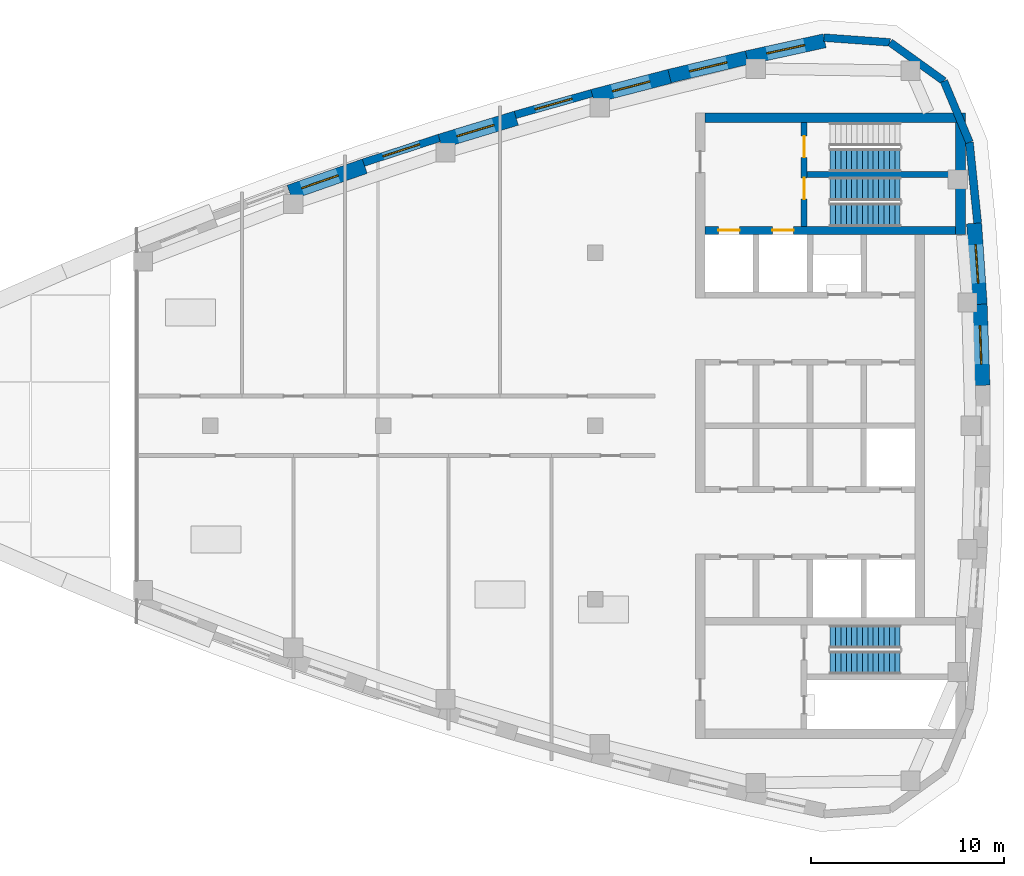
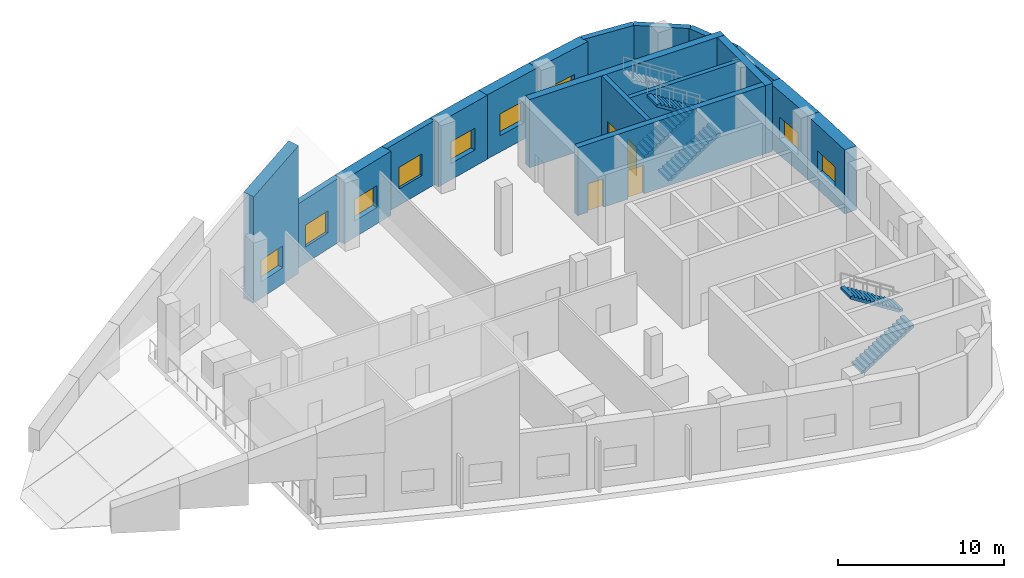
# One storey, part 4 of 8: 18 walls, 9 windows, 5 stair flights, 4 doors, 13 openings, 3 elements without a shape of their own.
"""IFC4 building model written with IfcOpenShell, lengths in metres."""

from ifc_helpers import new_model, si_unit, direction, frame, frame_2d, origin, place, context, subcontext, project, spatial, polyline, rectangle, outline, extrude, material, layer, layer_set, type_object, element, fill, aggregate, save


model = new_model("IFC4")

# Units and contexts
model_context = context("Model", 3, precision=1e-05, world=origin(), true_north=direction((0.0, 1.0)))
body_context = subcontext(model_context, "Body", "Model", "MODEL_VIEW")
ifc_project = project(units=[si_unit("LENGTHUNIT", "METRE"), si_unit("AREAUNIT", "SQUARE_METRE"), si_unit("VOLUMEUNIT", "CUBIC_METRE"), si_unit("PLANEANGLEUNIT", "RADIAN"), si_unit("MASSUNIT", "GRAM", prefix="KILO")], contexts=[model_context])

# Site, building, storey
site_placement = place(None, origin())
site = spatial("IfcSite", under=ifc_project, at=site_placement, CompositionType="ELEMENT")
building_placement = place(site_placement, origin())
building = spatial("IfcBuilding", under=site, at=building_placement, Name="Ostrand Prow Hotel Tower", CompositionType="ELEMENT")
storey_placement = place(building_placement, frame((0.0, 0.0, 327.39990234375)))
storey = spatial("IfcBuildingStorey", under=building, at=storey_placement, Name="C5", CompositionType="ELEMENT", Elevation=327.39990234375)

# Wall, openings, doors
ifc_material_1 = material(Name="Concrete C40/50", Category="concrete")
ifc_layer_1 = layer(ifc_material_1, 0.300048828125)
ifc_layer_set_1 = layer_set([ifc_layer_1], Name="Concrete C40/50")
wall_type_1 = type_object("IfcWallType", Name="Core wall 300 C40/50", PredefinedType="SHEAR", material=ifc_layer_set_1)
wall_1_placement = place(storey_placement, frame((55.85009765625, 10.35009765625, 0.0), z_axis=(0.0, 0.0, 1.0), x_axis=(0.0, 1.0, 0.0)))
wall_1 = element("IfcWall", 1, at=wall_1_placement, inside=storey, type_object=wall_type_1, Name="Core wall PW-VN", PredefinedType="SHEAR", context=body_context, shape_type="SweptSolid", body=[
    extrude(rectangle(XDim=5.39990234375, YDim=0.300048828125, at=frame_2d((2.699951171875, 0.0))), origin(), (0.0, 0.0, 1.0), 5.0),
])
opening_1_placement = place(wall_1_placement, frame((1.429931640625, 0.0, 0.0)))
opening_1 = element("IfcOpeningElement", 2, at=opening_1_placement, cuts=wall_1, Name="Opening FD1", PredefinedType="OPENING", context=body_context, shape_type="SweptSolid", body=[
    extrude(rectangle(XDim=1.10009765625, YDim=2.10009765625, at=frame_2d((0.550048828125, 1.050048828125))), frame((0.0, 0.159912109375, 0.0), z_axis=(0.0, -1.0, 0.0), x_axis=(1.0, 0.0, 0.0)), (0.0, 0.0, 1.0), 0.320068359375),
])
opening_2_placement = place(wall_1_placement, frame((3.60009765625, 0.0, 0.0)))
opening_2 = element("IfcOpeningElement", 3, at=opening_2_placement, cuts=wall_1, Name="Opening FD1", PredefinedType="OPENING", context=body_context, shape_type="SweptSolid", body=[
    extrude(rectangle(XDim=1.10009765625, YDim=2.10009765625, at=frame_2d((0.550048828125, 1.050048828125))), frame((0.0, 0.159912109375, 0.0), z_axis=(0.0, -1.0, 0.0), x_axis=(1.0, 0.0, 0.0)), (0.0, 0.0, 1.0), 0.320068359375),
])
ifc_material_2 = material(Name="Steel fire door", Category="steel")
door_type_1 = type_object("IfcDoorType", Name="Fire door 1100 EI120", OperationType="SINGLE_SWING_RIGHT", PredefinedType="DOOR", material=ifc_material_2)
door_1_placement = place(opening_1_placement, origin())
door_1 = element("IfcDoor", 4, at=door_1_placement, inside=storey, type_object=door_type_1, Name="FIRE DOOR", OperationType="SINGLE_SWING_RIGHT", OverallHeight=2.10009765625, OverallWidth=1.10009765625, PredefinedType="DOOR", context=body_context, shape_type="SweptSolid", body=[
    extrude(rectangle(XDim=1.10009765625, YDim=2.10009765625, at=frame_2d((0.550048828125, 1.050048828125))), frame((0.0, 0.02490234375, 0.0), z_axis=(0.0, -1.0, 0.0), x_axis=(1.0, 0.0, 0.0)), (0.0, 0.0, 1.0), 0.050048828125),
])
fill(opening_1, door_1)
door_2_placement = place(opening_2_placement, origin())
door_2 = element("IfcDoor", 5, at=door_2_placement, inside=storey, type_object=door_type_1, Name="FIRE DOOR", OperationType="SINGLE_SWING_RIGHT", OverallHeight=2.10009765625, OverallWidth=1.10009765625, PredefinedType="DOOR", context=body_context, shape_type="SweptSolid", body=[
    extrude(rectangle(XDim=1.10009765625, YDim=2.10009765625, at=frame_2d((0.550048828125, 1.050048828125))), frame((0.0, 0.02490234375, 0.0), z_axis=(0.0, -1.0, 0.0), x_axis=(1.0, 0.0, 0.0)), (0.0, 0.0, 1.0), 0.050048828125),
])
fill(opening_2, door_2)

# Wall
wall_2_placement = place(storey_placement, frame((56.0, 13.050048828125, 0.0), z_axis=(0.0, 0.0, 1.0), x_axis=(1.0, 0.0, 0.0)))
element("IfcWall", 6, at=wall_2_placement, inside=storey, type_object=wall_type_1, Name="Core wall PW-ST13", PredefinedType="SHEAR", context=body_context, shape_type="SweptSolid", body=[
    extrude(rectangle(XDim=7.719970703125, YDim=0.300048828125, at=frame_2d((3.85986328125, 0.0))), origin(), (0.0, 0.0, 1.0), 5.0),
])

# Wall, openings, doors
ifc_material_3 = material(Name="Concrete C40/50", Category="concrete")
ifc_layer_2 = layer(ifc_material_3, 0.39990234375)
ifc_layer_set_2 = layer_set([ifc_layer_2], Name="Concrete C40/50")
wall_type_2 = type_object("IfcWallType", Name="Core wall 400 C40/50", PredefinedType="SHEAR", material=ifc_layer_set_2)
wall_3_placement = place(storey_placement, frame((50.699951171875, 10.14990234375, 0.0), z_axis=(0.0, 0.0, 1.0), x_axis=(1.0, 0.0, 0.0)))
wall_3 = element("IfcWall", 7, at=wall_3_placement, inside=storey, type_object=wall_type_2, Name="Core wall PW-BN", PredefinedType="SHEAR", context=body_context, shape_type="SweptSolid", body=[
    extrude(rectangle(XDim=13.02001953125, YDim=0.39990234375, at=frame_2d((6.510009765625, 0.0))), origin(), (0.0, 0.0, 1.0), 5.0),
])
opening_3_placement = place(wall_3_placement, frame((0.699951171875, 0.0, 0.0)))
opening_3 = element("IfcOpeningElement", 8, at=opening_3_placement, cuts=wall_3, Name="Opening LD", PredefinedType="OPENING", context=body_context, shape_type="SweptSolid", body=[
    extrude(rectangle(XDim=1.10009765625, YDim=2.10009765625, at=frame_2d((0.550048828125, 1.050048828125))), frame((0.0, 0.2099609375, 0.0), z_axis=(0.0, -1.0, 0.0), x_axis=(1.0, 0.0, 0.0)), (0.0, 0.0, 1.0), 0.419921875),
])
opening_4_placement = place(wall_3_placement, frame((3.5, 0.0, 0.0)))
opening_4 = element("IfcOpeningElement", 9, at=opening_4_placement, cuts=wall_3, Name="Opening LD", PredefinedType="OPENING", context=body_context, shape_type="SweptSolid", body=[
    extrude(rectangle(XDim=1.10009765625, YDim=2.10009765625, at=frame_2d((0.550048828125, 1.050048828125))), frame((0.0, 0.2099609375, 0.0), z_axis=(0.0, -1.0, 0.0), x_axis=(1.0, 0.0, 0.0)), (0.0, 0.0, 1.0), 0.419921875),
])
ifc_material_4 = material(Name="Stainless steel door", Category="steel")
door_type_2 = type_object("IfcDoorType", Name="Lift landing door 1100", OperationType="DOUBLE_DOOR_SLIDING", PredefinedType="DOOR", material=ifc_material_4)
door_3_placement = place(opening_3_placement, origin())
door_3 = element("IfcDoor", 10, at=door_3_placement, inside=storey, type_object=door_type_2, Name="LIFT LANDING DOOR", OperationType="DOUBLE_DOOR_SLIDING", OverallHeight=2.10009765625, OverallWidth=1.10009765625, PredefinedType="DOOR", context=body_context, shape_type="SweptSolid", body=[
    extrude(rectangle(XDim=1.10009765625, YDim=2.10009765625, at=frame_2d((0.550048828125, 1.050048828125))), frame((0.0, 0.02490234375, 0.0), z_axis=(0.0, -1.0, 0.0), x_axis=(1.0, 0.0, 0.0)), (0.0, 0.0, 1.0), 0.050048828125),
])
fill(opening_3, door_3)
door_4_placement = place(opening_4_placement, origin())
door_4 = element("IfcDoor", 11, at=door_4_placement, inside=storey, type_object=door_type_2, Name="LIFT LANDING DOOR", OperationType="DOUBLE_DOOR_SLIDING", OverallHeight=2.10009765625, OverallWidth=1.10009765625, PredefinedType="DOOR", context=body_context, shape_type="SweptSolid", body=[
    extrude(rectangle(XDim=1.10009765625, YDim=2.10009765625, at=frame_2d((0.550048828125, 1.050048828125))), frame((0.0, 0.02490234375, 0.0), z_axis=(0.0, -1.0, 0.0), x_axis=(1.0, 0.0, 0.0)), (0.0, 0.0, 1.0), 0.050048828125),
])
fill(opening_4, door_4)

# Walls
ifc_material_5 = material(Name="Concrete C40/50", Category="concrete")
ifc_layer_3 = layer(ifc_material_5, 0.5)
ifc_layer_set_3 = layer_set([ifc_layer_3], Name="Concrete C40/50")
wall_type_3 = type_object("IfcWallType", Name="Core wall 500 C40/50", PredefinedType="SHEAR", material=ifc_layer_set_3)
wall_4_placement = place(storey_placement, frame((50.699951171875, 16.0, 0.0), z_axis=(0.0, 0.0, 1.0), x_axis=(1.0, 0.0, 0.0)))
element("IfcWall", 12, at=wall_4_placement, inside=storey, type_object=wall_type_3, Name="Core wall CW-N", PredefinedType="SHEAR", context=body_context, shape_type="SweptSolid", body=[
    extrude(rectangle(XDim=13.52001953125, YDim=0.5, at=frame_2d((6.760009765625, 0.0))), origin(), (0.0, 0.0, 1.0), 5.0),
])
wall_5_placement = place(storey_placement, frame((63.969970703125, 9.949951171875, 0.0), z_axis=(0.0, 0.0, 1.0), x_axis=(0.0, 1.0, 0.0)))
element("IfcWall", 13, at=wall_5_placement, inside=storey, type_object=wall_type_3, Name="Core wall CW-E-N", PredefinedType="SHEAR", context=body_context, shape_type="SweptSolid", body=[
    extrude(rectangle(XDim=5.800048828125, YDim=0.5, at=frame_2d((2.89990234375, 0.0))), origin(), (0.0, 0.0, 1.0), 5.0),
])

# Wall, opening, window
ifc_material_6 = material(Name="Precast concrete C40/50", Category="concrete")
ifc_layer_4 = layer(ifc_material_6, 0.39990234375)
ifc_layer_set_4 = layer_set([ifc_layer_4], Name="Precast concrete C40/50")
wall_type_4 = type_object("IfcWallType", Name="Stone-faced precast wall 400 mm", PredefinedType="NOTDEFINED", material=ifc_layer_set_4)
wall_6_placement = place(storey_placement, frame((65.089599609375, 2.1015625, 0.0), z_axis=(0.0, 0.0, 1.0), x_axis=(-0.034151270612, 0.999416675224, 0.0)))
wall_6 = element("IfcWall", 14, at=wall_6_placement, inside=storey, type_object=wall_type_4, Name="Crown side wall C5 23", PredefinedType="NOTDEFINED", context=body_context, shape_type="SweptSolid", body=[
    extrude(rectangle(XDim=4.2177734375, YDim=0.825439453125, at=frame_2d((2.10888671875, 0.0))), origin(), (0.0, 0.0, 1.0), 4.7001953125),
])
opening_5_placement = place(wall_6_placement, frame((1.10888671875, 0.0, 1.199951171875)))
opening_5 = element("IfcOpeningElement", 15, at=opening_5_placement, cuts=wall_6, Name="Opening WV1", PredefinedType="OPENING", context=body_context, shape_type="SweptSolid", body=[
    extrude(rectangle(XDim=2.0, YDim=1.60009765625, at=frame_2d((1.0, 0.800048828125))), frame((0.0, 0.422607421875, 0.0), z_axis=(0.0, -1.0, 0.0), x_axis=(1.0, 0.0, 0.0)), (0.0, 0.0, 1.0), 0.845458984375),
])
ifc_material_7 = material(Name="Bronze anodised aluminium louvre", Category="aluminium")
window_type = type_object("IfcWindowType", Name="Louvre vent 2000x1600", PartitioningType="SINGLE_PANEL", PredefinedType="WINDOW", material=ifc_material_7)
window_1_placement = place(opening_5_placement, origin())
window_1 = element("IfcWindow", 16, at=window_1_placement, inside=storey, type_object=window_type, Name="Louvre vent 23.1", OverallHeight=1.60009765625, OverallWidth=2.0, PartitioningType="SINGLE_PANEL", PredefinedType="WINDOW", context=body_context, shape_type="SweptSolid", body=[
    extrude(rectangle(XDim=2.0, YDim=1.60009765625, at=frame_2d((1.0, 0.800048828125))), frame((0.0, 0.030029296875, 0.0), z_axis=(0.0, -1.0, 0.0), x_axis=(1.0, 0.0, 0.0)), (0.0, 0.0, 1.0), 0.06005859375),
])
fill(opening_5, window_1)

wall_7_placement = place(storey_placement, frame((64.966064453125, 6.310791015625, 0.0), z_axis=(0.0, 0.0, 1.0), x_axis=(-0.068243871044, 0.997668669481, 0.0)))
wall_7 = element("IfcWall", 17, at=wall_7_placement, inside=storey, type_object=wall_type_4, Name="Crown side wall C5 24", PredefinedType="NOTDEFINED", context=body_context, shape_type="SweptSolid", body=[
    extrude(rectangle(XDim=4.2177734375, YDim=0.784912109375, at=frame_2d((2.10888671875, 0.0))), origin(), (0.0, 0.0, 1.0), 4.7001953125),
])
opening_6_placement = place(wall_7_placement, frame((1.10888671875, 0.0, 1.199951171875)))
opening_6 = element("IfcOpeningElement", 18, at=opening_6_placement, cuts=wall_7, Name="Opening WV1", PredefinedType="OPENING", context=body_context, shape_type="SweptSolid", body=[
    extrude(rectangle(XDim=2.0, YDim=1.60009765625, at=frame_2d((1.0, 0.800048828125))), frame((0.0, 0.40234375, 0.0), z_axis=(0.0, -1.0, 0.0), x_axis=(1.0, 0.0, 0.0)), (0.0, 0.0, 1.0), 0.804931640625),
])
window_2_placement = place(opening_6_placement, origin())
window_2 = element("IfcWindow", 19, at=window_2_placement, inside=storey, type_object=window_type, Name="Louvre vent 24.1", OverallHeight=1.60009765625, OverallWidth=2.0, PartitioningType="SINGLE_PANEL", PredefinedType="WINDOW", context=body_context, shape_type="SweptSolid", body=[
    extrude(rectangle(XDim=2.0, YDim=1.60009765625, at=frame_2d((1.0, 0.800048828125))), frame((0.0, 0.030029296875, 0.0), z_axis=(0.0, -1.0, 0.0), x_axis=(1.0, 0.0, 0.0)), (0.0, 0.0, 1.0), 0.06005859375),
])
fill(opening_6, window_2)

# Walls
wall_8_placement = place(storey_placement, frame((64.86328125, 10.531005859375, 0.0), z_axis=(0.0, 0.0, 1.0), x_axis=(-0.102219795478, 0.994761837533, 0.0)))
element("IfcWall", 20, at=wall_8_placement, inside=storey, type_object=wall_type_4, Name="Crown side wall C5 25", PredefinedType="NOTDEFINED", context=body_context, shape_type="SweptSolid", body=[
    extrude(rectangle(XDim=4.2177734375, YDim=0.413818359375, at=frame_2d((2.10888671875, 0.0))), origin(), (0.0, 0.0, 1.0), 4.7001953125),
])
for number, where, z_axis, x_axis, name in (
    (21, (64.43896484375, 14.727294921875, 0.0), (0.0, 0.0, 1.0), (-0.385279586197, 0.922799891884, 0.0), "Crown side wall C5 26"),
    (22, (63.11181640625, 17.906005859375, 0.0), (0.0, 0.0, 1.0), (-0.811948187253, 0.583729510319, 0.0), "Crown side wall C5 27"),
):
    element("IfcWall", number, at=place(storey_placement, frame(where, z_axis=z_axis, x_axis=x_axis)), inside=storey, type_object=wall_type_4, Name=name, PredefinedType="NOTDEFINED", context=body_context, shape_type="SweptSolid", body=[
        extrude(rectangle(XDim=3.444580078125, YDim=0.39990234375, at=frame_2d((1.72216796875, 0.0))), origin(), (0.0, 0.0, 1.0), 4.7001953125),
    ])
wall_9_placement = place(storey_placement, frame((60.31494140625, 19.916748046875, 0.0), z_axis=(0.0, 0.0, 1.0), x_axis=(-0.997465171407, 0.071156389945, 0.0)))
element("IfcWall", 23, at=wall_9_placement, inside=storey, type_object=wall_type_4, Name="Crown side wall C5 28", PredefinedType="NOTDEFINED", context=body_context, shape_type="SweptSolid", body=[
    extrude(rectangle(XDim=3.44482421875, YDim=0.39990234375, at=frame_2d((1.722412109375, 0.0))), origin(), (0.0, 0.0, 1.0), 4.7001953125),
])

# Wall, opening, window
wall_10_placement = place(storey_placement, frame((56.91455078125, 19.99951171875, 0.0), z_axis=(0.0, 0.0, 1.0), x_axis=(-0.977019340581, -0.213150670022, 0.0)))
wall_10 = element("IfcWall", 24, at=wall_10_placement, inside=storey, type_object=wall_type_4, Name="Crown side wall C5 29", PredefinedType="NOTDEFINED", context=body_context, shape_type="SweptSolid", body=[
    extrude(rectangle(XDim=4.132568359375, YDim=0.732666015625, at=frame_2d((2.06640625, 0.0))), origin(), (0.0, 0.0, 1.0), 4.7001953125),
])
opening_7_placement = place(wall_10_placement, frame((1.06640625, 0.0, 1.199951171875)))
opening_7 = element("IfcOpeningElement", 25, at=opening_7_placement, cuts=wall_10, Name="Opening WV1", PredefinedType="OPENING", context=body_context, shape_type="SweptSolid", body=[
    extrude(rectangle(XDim=2.0, YDim=1.60009765625, at=frame_2d((1.0, 0.800048828125))), frame((0.0, 0.376220703125, 0.0), z_axis=(0.0, -1.0, 0.0), x_axis=(1.0, 0.0, 0.0)), (0.0, 0.0, 1.0), 0.752685546875),
])
window_3_placement = place(opening_7_placement, origin())
window_3 = element("IfcWindow", 26, at=window_3_placement, inside=storey, type_object=window_type, Name="Louvre vent 29.1", OverallHeight=1.60009765625, OverallWidth=2.0, PartitioningType="SINGLE_PANEL", PredefinedType="WINDOW", context=body_context, shape_type="SweptSolid", body=[
    extrude(rectangle(XDim=2.0, YDim=1.60009765625, at=frame_2d((1.0, 0.800048828125))), frame((0.0, 0.030029296875, 0.0), z_axis=(0.0, -1.0, 0.0), x_axis=(1.0, 0.0, 0.0)), (0.0, 0.0, 1.0), 0.06005859375),
])
fill(opening_7, window_3)

wall_11_placement = place(storey_placement, frame((52.87890625, 19.125, 0.0), z_axis=(0.0, 0.0, 1.0), x_axis=(-0.972546345517, -0.232709273174, 0.0)))
wall_11 = element("IfcWall", 27, at=wall_11_placement, inside=storey, type_object=wall_type_4, Name="Crown side wall C5 30", PredefinedType="NOTDEFINED", context=body_context, shape_type="SweptSolid", body=[
    extrude(rectangle(XDim=4.132568359375, YDim=0.720703125, at=frame_2d((2.06640625, 0.0))), origin(), (0.0, 0.0, 1.0), 4.7001953125),
])
opening_8_placement = place(wall_11_placement, frame((1.06640625, 0.0, 1.199951171875)))
opening_8 = element("IfcOpeningElement", 28, at=opening_8_placement, cuts=wall_11, Name="Opening WV1", PredefinedType="OPENING", context=body_context, shape_type="SweptSolid", body=[
    extrude(rectangle(XDim=2.0, YDim=1.60009765625, at=frame_2d((1.0, 0.800048828125))), frame((0.0, 0.370361328125, 0.0), z_axis=(0.0, -1.0, 0.0), x_axis=(1.0, 0.0, 0.0)), (0.0, 0.0, 1.0), 0.74072265625),
])
window_4_placement = place(opening_8_placement, origin())
window_4 = element("IfcWindow", 29, at=window_4_placement, inside=storey, type_object=window_type, Name="Louvre vent 30.1", OverallHeight=1.60009765625, OverallWidth=2.0, PartitioningType="SINGLE_PANEL", PredefinedType="WINDOW", context=body_context, shape_type="SweptSolid", body=[
    extrude(rectangle(XDim=2.0, YDim=1.60009765625, at=frame_2d((1.0, 0.800048828125))), frame((0.0, 0.030029296875, 0.0), z_axis=(0.0, -1.0, 0.0), x_axis=(1.0, 0.0, 0.0)), (0.0, 0.0, 1.0), 0.06005859375),
])
fill(opening_8, window_4)

wall_12_placement = place(storey_placement, frame((48.865966796875, 18.152587890625, 0.0), z_axis=(0.0, 0.0, 1.0), x_axis=(-0.967657413064, -0.252267974466, 0.0)))
wall_12 = element("IfcWall", 30, at=wall_12_placement, inside=storey, type_object=wall_type_4, Name="Crown side wall C5 31", PredefinedType="NOTDEFINED", context=body_context, shape_type="SweptSolid", body=[
    extrude(rectangle(XDim=4.13232421875, YDim=0.74462890625, at=frame_2d((2.066162109375, 0.0))), origin(), (0.0, 0.0, 1.0), 4.7001953125),
])
opening_9_placement = place(wall_12_placement, frame((1.06640625, 0.0, 1.199951171875)))
opening_9 = element("IfcOpeningElement", 31, at=opening_9_placement, cuts=wall_12, Name="Opening WV1", PredefinedType="OPENING", context=body_context, shape_type="SweptSolid", body=[
    extrude(rectangle(XDim=2.0, YDim=1.60009765625, at=frame_2d((1.0, 0.800048828125))), frame((0.0, 0.38232421875, 0.0), z_axis=(0.0, -1.0, 0.0), x_axis=(1.0, 0.0, 0.0)), (0.0, 0.0, 1.0), 0.7646484375),
])
window_5_placement = place(opening_9_placement, origin())
window_5 = element("IfcWindow", 32, at=window_5_placement, inside=storey, type_object=window_type, Name="Louvre vent 31.1", OverallHeight=1.60009765625, OverallWidth=2.0, PartitioningType="SINGLE_PANEL", PredefinedType="WINDOW", context=body_context, shape_type="SweptSolid", body=[
    extrude(rectangle(XDim=2.0, YDim=1.60009765625, at=frame_2d((1.0, 0.800048828125))), frame((0.0, 0.030029296875, 0.0), z_axis=(0.0, -1.0, 0.0), x_axis=(1.0, 0.0, 0.0)), (0.0, 0.0, 1.0), 0.06005859375),
])
fill(opening_9, window_5)

wall_13_placement = place(storey_placement, frame((44.823486328125, 17.27685546875, 0.0), z_axis=(0.0, 0.0, 1.0), x_axis=(-0.962397415317, -0.27164538463, 0.0)))
wall_13 = element("IfcWall", 33, at=wall_13_placement, inside=storey, type_object=wall_type_4, Name="Crown side wall C5 32", PredefinedType="NOTDEFINED", context=body_context, shape_type="SweptSolid", body=[
    extrude(rectangle(XDim=4.13232421875, YDim=0.39990234375, at=frame_2d((2.066162109375, 0.0))), origin(), (0.0, 0.0, 1.0), 4.7001953125),
])
opening_10_placement = place(wall_13_placement, frame((1.06640625, 0.0, 1.199951171875)))
opening_10 = element("IfcOpeningElement", 34, at=opening_10_placement, cuts=wall_13, Name="Opening WV1", PredefinedType="OPENING", context=body_context, shape_type="SweptSolid", body=[
    extrude(rectangle(XDim=2.0, YDim=1.60009765625, at=frame_2d((1.0, 0.800048828125))), frame((0.0, 0.2099609375, 0.0), z_axis=(0.0, -1.0, 0.0), x_axis=(1.0, 0.0, 0.0)), (0.0, 0.0, 1.0), 0.419921875),
])
window_6_placement = place(opening_10_placement, origin())
window_6 = element("IfcWindow", 35, at=window_6_placement, inside=storey, type_object=window_type, Name="Louvre vent 32.1", OverallHeight=1.60009765625, OverallWidth=2.0, PartitioningType="SINGLE_PANEL", PredefinedType="WINDOW", context=body_context, shape_type="SweptSolid", body=[
    extrude(rectangle(XDim=2.0, YDim=1.60009765625, at=frame_2d((1.0, 0.800048828125))), frame((0.0, 0.030029296875, 0.0), z_axis=(0.0, -1.0, 0.0), x_axis=(1.0, 0.0, 0.0)), (0.0, 0.0, 1.0), 0.06005859375),
])
fill(opening_10, window_6)

wall_14_placement = place(storey_placement, frame((40.899658203125, 15.979736328125, 0.0), z_axis=(0.0, 0.0, 1.0), x_axis=(-0.956738247994, -0.290950038368, 0.0)))
wall_14 = element("IfcWall", 36, at=wall_14_placement, inside=storey, type_object=wall_type_4, Name="Crown side wall C5 33", PredefinedType="NOTDEFINED", context=body_context, shape_type="SweptSolid", body=[
    extrude(rectangle(XDim=4.132568359375, YDim=0.764892578125, at=frame_2d((2.06640625, 0.0))), origin(), (0.0, 0.0, 1.0), 4.7001953125),
])
opening_11_placement = place(wall_14_placement, frame((1.21630859375, 0.0, 1.199951171875)))
opening_11 = element("IfcOpeningElement", 37, at=opening_11_placement, cuts=wall_14, Name="Opening WV1", PredefinedType="OPENING", context=body_context, shape_type="SweptSolid", body=[
    extrude(rectangle(XDim=2.0, YDim=1.60009765625, at=frame_2d((1.0, 0.800048828125))), frame((0.0, 0.392333984375, 0.0), z_axis=(0.0, -1.0, 0.0), x_axis=(1.0, 0.0, 0.0)), (0.0, 0.0, 1.0), 0.784912109375),
])
window_7_placement = place(opening_11_placement, origin())
window_7 = element("IfcWindow", 38, at=window_7_placement, inside=storey, type_object=window_type, Name="Louvre vent 33.1", OverallHeight=1.60009765625, OverallWidth=2.0, PartitioningType="SINGLE_PANEL", PredefinedType="WINDOW", context=body_context, shape_type="SweptSolid", body=[
    extrude(rectangle(XDim=2.0, YDim=1.60009765625, at=frame_2d((1.0, 0.800048828125))), frame((0.0, 0.030029296875, 0.0), z_axis=(0.0, -1.0, 0.0), x_axis=(1.0, 0.0, 0.0)), (0.0, 0.0, 1.0), 0.06005859375),
])
fill(opening_11, window_7)

wall_15_placement = place(storey_placement, frame((36.892822265625, 14.951904296875, 0.0), z_axis=(0.0, 0.0, 1.0), x_axis=(-0.950701822842, -0.310106504356, 0.0)))
wall_15 = element("IfcWall", 39, at=wall_15_placement, inside=storey, type_object=wall_type_4, Name="Crown side wall C5 34", PredefinedType="NOTDEFINED", context=body_context, shape_type="SweptSolid", body=[
    extrude(rectangle(XDim=4.13232421875, YDim=0.39990234375, at=frame_2d((2.066162109375, 0.0))), origin(), (0.0, 0.0, 1.0), 4.7001953125),
])
opening_12_placement = place(wall_15_placement, frame((1.06640625, 0.0, 1.199951171875)))
opening_12 = element("IfcOpeningElement", 40, at=opening_12_placement, cuts=wall_15, Name="Opening WV1", PredefinedType="OPENING", context=body_context, shape_type="SweptSolid", body=[
    extrude(rectangle(XDim=2.0, YDim=1.60009765625, at=frame_2d((1.0, 0.800048828125))), frame((0.0, 0.2099609375, 0.0), z_axis=(0.0, -1.0, 0.0), x_axis=(1.0, 0.0, 0.0)), (0.0, 0.0, 1.0), 0.419921875),
])
window_8_placement = place(opening_12_placement, origin())
window_8 = element("IfcWindow", 41, at=window_8_placement, inside=storey, type_object=window_type, Name="Louvre vent 34.1", OverallHeight=1.60009765625, OverallWidth=2.0, PartitioningType="SINGLE_PANEL", PredefinedType="WINDOW", context=body_context, shape_type="SweptSolid", body=[
    extrude(rectangle(XDim=2.0, YDim=1.60009765625, at=frame_2d((1.0, 0.800048828125))), frame((0.0, 0.030029296875, 0.0), z_axis=(0.0, -1.0, 0.0), x_axis=(1.0, 0.0, 0.0)), (0.0, 0.0, 1.0), 0.06005859375),
])
fill(opening_12, window_8)

wall_16_placement = place(storey_placement, frame((33.02880859375, 13.484619140625, 0.0), z_axis=(0.0, 0.0, 1.0), x_axis=(-0.944288592168, -0.329118602788, 0.0)))
wall_16 = element("IfcWall", 42, at=wall_16_placement, inside=storey, type_object=wall_type_4, Name="Crown side wall C5 35", PredefinedType="NOTDEFINED", context=body_context, shape_type="SweptSolid", body=[
    extrude(outline(polyline([(0.0, 0.0), (4.132568359375, 0.0), (4.132568359375, 7.801025390625), (0.0, 9.377685546875), (0.0, 0.0)])), frame((0.0, 0.396484375, 0.0), z_axis=(0.0, -1.0, 0.0), x_axis=(1.0, 0.0, 0.0)), (0.0, 0.0, 1.0), 0.793212890625),
])
opening_13_placement = place(wall_16_placement, frame((1.46630859375, 0.0, 1.199951171875)))
opening_13 = element("IfcOpeningElement", 43, at=opening_13_placement, cuts=wall_16, Name="Opening WV1", PredefinedType="OPENING", context=body_context, shape_type="SweptSolid", body=[
    extrude(rectangle(XDim=2.0, YDim=1.60009765625, at=frame_2d((1.0, 0.800048828125))), frame((0.0, 0.406494140625, 0.0), z_axis=(0.0, -1.0, 0.0), x_axis=(1.0, 0.0, 0.0)), (0.0, 0.0, 1.0), 0.813232421875),
])
window_9_placement = place(opening_13_placement, origin())
window_9 = element("IfcWindow", 44, at=window_9_placement, inside=storey, type_object=window_type, Name="Louvre vent 35.1", OverallHeight=1.60009765625, OverallWidth=2.0, PartitioningType="SINGLE_PANEL", PredefinedType="WINDOW", context=body_context, shape_type="SweptSolid", body=[
    extrude(rectangle(XDim=2.0, YDim=1.60009765625, at=frame_2d((1.0, 0.800048828125))), frame((0.0, 0.030029296875, 0.0), z_axis=(0.0, -1.0, 0.0), x_axis=(1.0, 0.0, 0.0)), (0.0, 0.0, 1.0), 0.06005859375),
])
fill(opening_13, window_9)

# Stair, stair flights
ifc_material_8 = material(Name="Concrete C40/50", Category="concrete")
stair_type = type_object("IfcStairType", Name="Exit stair 1200 upper zone", PredefinedType="HALF_TURN_STAIR", material=ifc_material_8)
stair_1_placement = place(storey_placement, origin())
stair_1 = element("IfcStair", 45, at=stair_1_placement, inside=storey, type_object=stair_type, Name="C5 ST1C", PredefinedType="HALF_TURN_STAIR")
ifc_material_9 = material(Name="Concrete C40/50", Category="concrete")
stair_flight_type = type_object("IfcStairFlightType", Name="Stair flight 1200 concrete", PredefinedType="STRAIGHT", material=ifc_material_9)
stair_flight_1_placement = place(storey_placement, frame((57.199951171875, 10.949951171875, 0.0), z_axis=(0.0, 0.0, 1.0), x_axis=(1.0, 0.0, 0.0)))
stair_flight_1 = element("IfcStairFlight", 46, at=stair_flight_1_placement, type_object=stair_flight_type, Name="ST1C flight 1", NumberOfRisers=14, NumberOfTreads=13, PredefinedType="STRAIGHT", RiserHeight=0.178571429, TreadLength=0.28, context=body_context, shape_type="SweptSolid", body=[
    extrude(outline(polyline([(0.0, 0.0), (0.0, 0.178466796875), (0.280029296875, 0.178466796875), (0.280029296875, 0.357177734375), (0.56005859375, 0.357177734375), (0.56005859375, 0.53564453125), (0.840087890625, 0.53564453125), (0.840087890625, 0.71435546875), (1.1201171875, 0.71435546875), (1.1201171875, 0.892822265625), (1.39990234375, 0.892822265625), (1.39990234375, 1.071533203125), (1.679931640625, 1.071533203125), (1.679931640625, 1.25), (1.9599609375, 1.25), (1.9599609375, 1.428466796875), (2.239990234375, 1.428466796875), (2.239990234375, 1.607177734375), (2.52001953125, 1.607177734375), (2.52001953125, 1.78564453125), (2.800048828125, 1.78564453125), (2.800048828125, 1.96435546875), (3.080078125, 1.96435546875), (3.080078125, 2.142822265625), (3.360107421875, 2.142822265625), (3.360107421875, 2.321533203125), (3.639892578125, 2.321533203125), (3.639892578125, 2.5), (3.639892578125, 2.1435546875), (0.27880859375, 0.0), (0.0, 0.0)])), frame((0.0, 0.60009765625, 0.0), z_axis=(0.0, -1.0, 0.0), x_axis=(1.0, 0.0, 0.0)), (0.0, 0.0, 1.0), 1.199951171875),
])
stair_flight_2_placement = place(storey_placement, frame((60.840087890625, 12.300048828125, 2.5), z_axis=(0.0, 0.0, 1.0), x_axis=(-1.0, 0.0, 0.0)))
stair_flight_2 = element("IfcStairFlight", 47, at=stair_flight_2_placement, type_object=stair_flight_type, Name="ST1C flight 2", NumberOfRisers=14, NumberOfTreads=13, PredefinedType="STRAIGHT", RiserHeight=0.178571429, TreadLength=0.28, context=body_context, shape_type="SweptSolid", body=[
    extrude(outline(polyline([(0.0, 0.0), (0.0, 0.178466796875), (0.280029296875, 0.178466796875), (0.280029296875, 0.357177734375), (0.56005859375, 0.357177734375), (0.56005859375, 0.53564453125), (0.840087890625, 0.53564453125), (0.840087890625, 0.71435546875), (1.1201171875, 0.71435546875), (1.1201171875, 0.892822265625), (1.39990234375, 0.892822265625), (1.39990234375, 1.071533203125), (1.679931640625, 1.071533203125), (1.679931640625, 1.25), (1.9599609375, 1.25), (1.9599609375, 1.428466796875), (2.239990234375, 1.428466796875), (2.239990234375, 1.607177734375), (2.52001953125, 1.607177734375), (2.52001953125, 1.78564453125), (2.800048828125, 1.78564453125), (2.800048828125, 1.96435546875), (3.080078125, 1.96435546875), (3.080078125, 2.142822265625), (3.360107421875, 2.142822265625), (3.360107421875, 2.321533203125), (3.639892578125, 2.321533203125), (3.639892578125, 2.5), (3.639892578125, 2.1435546875), (0.27880859375, 0.0), (0.0, 0.0)])), frame((0.0, 0.60009765625, 0.0), z_axis=(0.0, -1.0, 0.0), x_axis=(1.0, 0.0, 0.0)), (0.0, 0.0, 1.0), 1.199951171875),
])
aggregate(stair_1, [stair_flight_1, stair_flight_2])

# Stair, stair flight
stair_2_placement = place(storey_placement, origin())
stair_2 = element("IfcStair", 48, at=stair_2_placement, inside=storey, type_object=stair_type, Name="C5 ST3C", PredefinedType="HALF_TURN_STAIR")
stair_flight_3_placement = place(storey_placement, frame((57.199951171875, 13.800048828125, 0.0), z_axis=(0.0, 0.0, 1.0), x_axis=(1.0, 0.0, 0.0)))
stair_flight_3 = element("IfcStairFlight", 49, at=stair_flight_3_placement, type_object=stair_flight_type, Name="ST3C flight 1", NumberOfRisers=14, NumberOfTreads=13, PredefinedType="STRAIGHT", RiserHeight=0.178571429, TreadLength=0.28, context=body_context, shape_type="SweptSolid", body=[
    extrude(outline(polyline([(0.0, 0.0), (0.0, 0.178466796875), (0.280029296875, 0.178466796875), (0.280029296875, 0.357177734375), (0.56005859375, 0.357177734375), (0.56005859375, 0.53564453125), (0.840087890625, 0.53564453125), (0.840087890625, 0.71435546875), (1.1201171875, 0.71435546875), (1.1201171875, 0.892822265625), (1.39990234375, 0.892822265625), (1.39990234375, 1.071533203125), (1.679931640625, 1.071533203125), (1.679931640625, 1.25), (1.9599609375, 1.25), (1.9599609375, 1.428466796875), (2.239990234375, 1.428466796875), (2.239990234375, 1.607177734375), (2.52001953125, 1.607177734375), (2.52001953125, 1.78564453125), (2.800048828125, 1.78564453125), (2.800048828125, 1.96435546875), (3.080078125, 1.96435546875), (3.080078125, 2.142822265625), (3.360107421875, 2.142822265625), (3.360107421875, 2.321533203125), (3.639892578125, 2.321533203125), (3.639892578125, 2.5), (3.639892578125, 2.1435546875), (0.27880859375, 0.0), (0.0, 0.0)])), frame((0.0, 0.60009765625, 0.0), z_axis=(0.0, -1.0, 0.0), x_axis=(1.0, 0.0, 0.0)), (0.0, 0.0, 1.0), 1.199951171875),
])
aggregate(stair_2, [stair_flight_3])

# Stair, stair flights
stair_3_placement = place(storey_placement, origin())
stair_3 = element("IfcStair", 50, at=stair_3_placement, inside=storey, type_object=stair_type, Name="C5 ST2C", PredefinedType="HALF_TURN_STAIR")
stair_flight_4_placement = place(storey_placement, frame((57.199951171875, -12.300048828125, 0.0), z_axis=(0.0, 0.0, 1.0), x_axis=(1.0, 0.0, 0.0)))
stair_flight_4 = element("IfcStairFlight", 51, at=stair_flight_4_placement, type_object=stair_flight_type, Name="ST2C flight 1", NumberOfRisers=14, NumberOfTreads=13, PredefinedType="STRAIGHT", RiserHeight=0.178571429, TreadLength=0.28, context=body_context, shape_type="SweptSolid", body=[
    extrude(outline(polyline([(0.0, 0.0), (0.0, 0.178466796875), (0.280029296875, 0.178466796875), (0.280029296875, 0.357177734375), (0.56005859375, 0.357177734375), (0.56005859375, 0.53564453125), (0.840087890625, 0.53564453125), (0.840087890625, 0.71435546875), (1.1201171875, 0.71435546875), (1.1201171875, 0.892822265625), (1.39990234375, 0.892822265625), (1.39990234375, 1.071533203125), (1.679931640625, 1.071533203125), (1.679931640625, 1.25), (1.9599609375, 1.25), (1.9599609375, 1.428466796875), (2.239990234375, 1.428466796875), (2.239990234375, 1.607177734375), (2.52001953125, 1.607177734375), (2.52001953125, 1.78564453125), (2.800048828125, 1.78564453125), (2.800048828125, 1.96435546875), (3.080078125, 1.96435546875), (3.080078125, 2.142822265625), (3.360107421875, 2.142822265625), (3.360107421875, 2.321533203125), (3.639892578125, 2.321533203125), (3.639892578125, 2.5), (3.639892578125, 2.1435546875), (0.27880859375, 0.0), (0.0, 0.0)])), frame((0.0, 0.60009765625, 0.0), z_axis=(0.0, -1.0, 0.0), x_axis=(1.0, 0.0, 0.0)), (0.0, 0.0, 1.0), 1.199951171875),
])
stair_flight_5_placement = place(storey_placement, frame((60.840087890625, -10.949951171875, 2.5), z_axis=(0.0, 0.0, 1.0), x_axis=(-1.0, 0.0, 0.0)))
stair_flight_5 = element("IfcStairFlight", 52, at=stair_flight_5_placement, type_object=stair_flight_type, Name="ST2C flight 2", NumberOfRisers=14, NumberOfTreads=13, PredefinedType="STRAIGHT", RiserHeight=0.178571429, TreadLength=0.28, context=body_context, shape_type="SweptSolid", body=[
    extrude(outline(polyline([(0.0, 0.0), (0.0, 0.178466796875), (0.280029296875, 0.178466796875), (0.280029296875, 0.357177734375), (0.56005859375, 0.357177734375), (0.56005859375, 0.53564453125), (0.840087890625, 0.53564453125), (0.840087890625, 0.71435546875), (1.1201171875, 0.71435546875), (1.1201171875, 0.892822265625), (1.39990234375, 0.892822265625), (1.39990234375, 1.071533203125), (1.679931640625, 1.071533203125), (1.679931640625, 1.25), (1.9599609375, 1.25), (1.9599609375, 1.428466796875), (2.239990234375, 1.428466796875), (2.239990234375, 1.607177734375), (2.52001953125, 1.607177734375), (2.52001953125, 1.78564453125), (2.800048828125, 1.78564453125), (2.800048828125, 1.96435546875), (3.080078125, 1.96435546875), (3.080078125, 2.142822265625), (3.360107421875, 2.142822265625), (3.360107421875, 2.321533203125), (3.639892578125, 2.321533203125), (3.639892578125, 2.5), (3.639892578125, 2.1435546875), (0.27880859375, 0.0), (0.0, 0.0)])), frame((0.0, 0.60009765625, 0.0), z_axis=(0.0, -1.0, 0.0), x_axis=(1.0, 0.0, 0.0)), (0.0, 0.0, 1.0), 1.199951171875),
])
aggregate(stair_3, [stair_flight_4, stair_flight_5])

save(model, "model.ifc")
